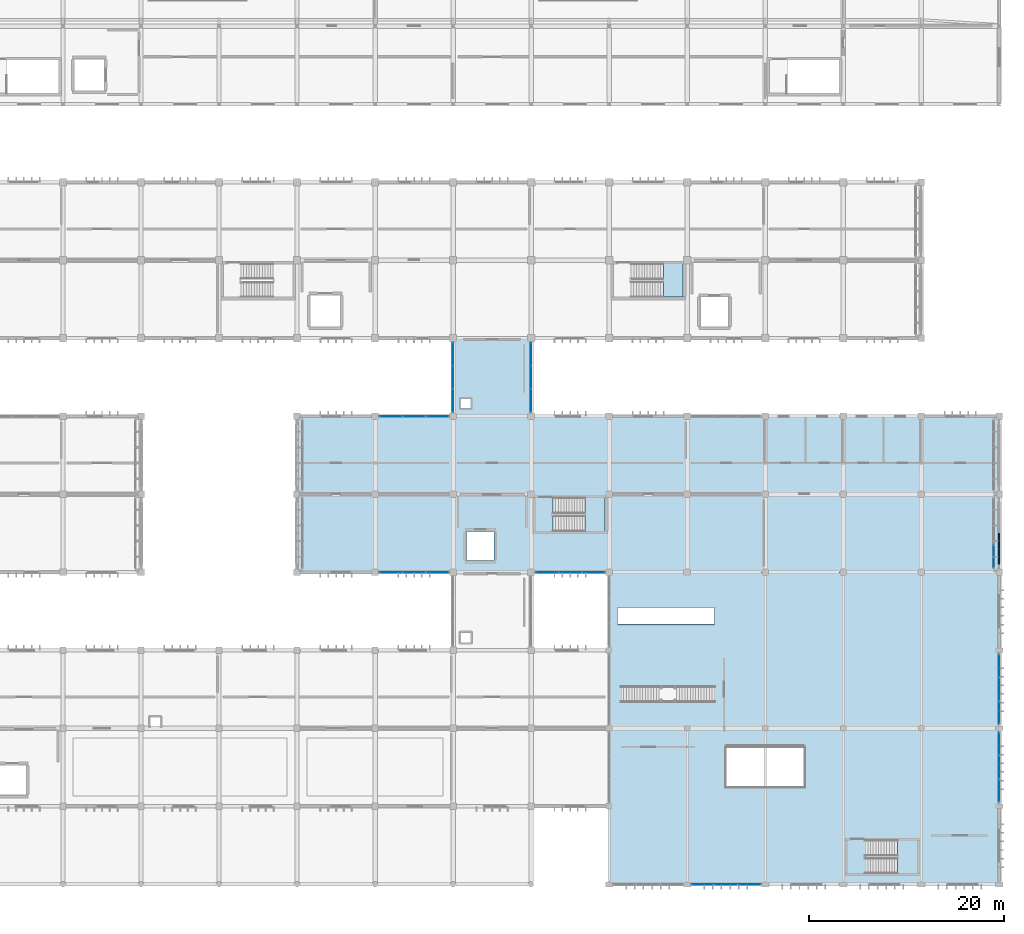
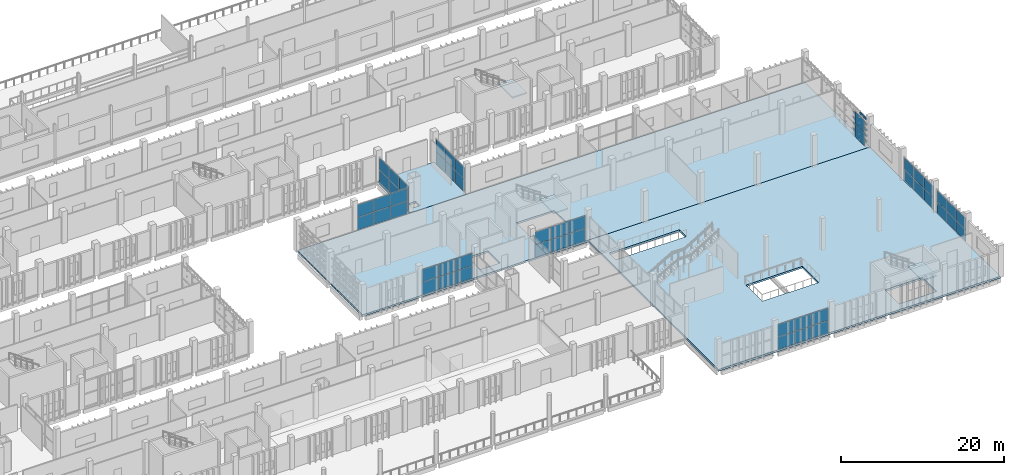
# One storey, part 74 of 106: 59 plates, 6 slabs, 12 elements without a shape of their own.
"""IFC4 building model written with IfcOpenShell, lengths in metres."""

from ifc_helpers import new_model, si_unit, direction, frame, origin, origin_2d, place, context, subcontext, project, spatial, polyline, rectangle, outline, extrude, material, layer, layer_set, type_object, element, aggregate, save


model = new_model("IFC4")

# Units and contexts
model_context = context("Model", 3, precision=1e-05, world=origin(), true_north=direction((0.0, 1.0)))
body_context = subcontext(model_context, "Body", "Model", "MODEL_VIEW")
ifc_project = project(units=[si_unit("LENGTHUNIT", "METRE"), si_unit("AREAUNIT", "SQUARE_METRE"), si_unit("VOLUMEUNIT", "CUBIC_METRE"), si_unit("PLANEANGLEUNIT", "RADIAN"), si_unit("MASSUNIT", "GRAM", prefix="KILO")], contexts=[model_context])

# Site, building, storey
site_placement = place(None, origin())
site = spatial("IfcSite", under=ifc_project, at=site_placement, CompositionType="ELEMENT")
building_placement = place(site_placement, origin())
building = spatial("IfcBuilding", under=site, at=building_placement, Name="Jelvoka-Kovrelna Polytechnic", CompositionType="ELEMENT")
storey_placement = place(building_placement, frame((0.0, 0.0, 4.800048828125)))
storey = spatial("IfcBuildingStorey", under=building, at=storey_placement, Name="L02", CompositionType="ELEMENT", Elevation=4.800048828125)

# Curtain wall, plates
ifc_material_1 = material(Name="Anodised aluminium 6063-T6", Category="aluminium")
ifc_layer_1 = layer(ifc_material_1, 0.159912109375)
ifc_layer_set_1 = layer_set([ifc_layer_1], Name="Anodised aluminium 6063-T6")
curtain_wall_type_1 = type_object("IfcCurtainWallType", Name="CW_Recessed_A", PredefinedType="NOTDEFINED", material=ifc_layer_set_1)
curtain_wall_1_placement = place(storey_placement, origin())
curtain_wall_1 = element("IfcCurtainWall", 1, at=curtain_wall_1_placement, inside=storey, type_object=curtain_wall_type_1, Name="L02 glazed curtain wall 046", PredefinedType="NOTDEFINED")
ifc_material_2 = material(Name="Solar-control double glazing", Category="glass")
ifc_layer_2 = layer(ifc_material_2, 0.028076171875)
ifc_layer_set_2 = layer_set([ifc_layer_2], Name="Solar-control double glazing")
plate_type_1 = type_object("IfcPlateType", Name="Panel_GP-01", PredefinedType="CURTAIN_PANEL", material=ifc_layer_set_2)
plate_1_placement = place(storey_placement, frame((142.385009765625, 32.0, 0.052001953125), z_axis=(0.0, 0.0, 1.0), x_axis=(-1.0, 0.0, 0.0)))
plate_1 = element("IfcPlate", 2, at=plate_1_placement, type_object=plate_type_1, Name="CW-01 panel 1.1", PredefinedType="CURTAIN_PANEL", context=body_context, shape_type="SweptSolid", body=[
    extrude(rectangle(XDim=2.326171875, YDim=0.028076171875, at=origin_2d()), origin(), (0.0, 0.0, 1.0), 1.881103515625),
])
plate_2_placement = place(storey_placement, frame((142.385009765625, 32.0, 1.976806640625), z_axis=(0.0, 0.0, 1.0), x_axis=(-1.0, 0.0, 0.0)))
plate_2 = element("IfcPlate", 3, at=plate_2_placement, type_object=plate_type_1, Name="CW-01 panel 1.2", PredefinedType="CURTAIN_PANEL", context=body_context, shape_type="SweptSolid", body=[
    extrude(rectangle(XDim=2.326171875, YDim=0.028076171875, at=origin_2d()), origin(), (0.0, 0.0, 1.0), 1.881103515625),
])
plate_3_placement = place(storey_placement, frame((140.0, 32.0, 0.052001953125), z_axis=(0.0, 0.0, 1.0), x_axis=(-1.0, 0.0, 0.0)))
plate_3 = element("IfcPlate", 4, at=plate_3_placement, type_object=plate_type_1, Name="CW-01 panel 2.1", PredefinedType="CURTAIN_PANEL", context=body_context, shape_type="SweptSolid", body=[
    extrude(rectangle(XDim=2.356201171875, YDim=0.028076171875, at=origin_2d()), origin(), (0.0, 0.0, 1.0), 1.881103515625),
])
plate_4_placement = place(storey_placement, frame((140.0, 32.0, 1.976806640625), z_axis=(0.0, 0.0, 1.0), x_axis=(-1.0, 0.0, 0.0)))
plate_4 = element("IfcPlate", 5, at=plate_4_placement, type_object=plate_type_1, Name="CW-01 panel 2.2", PredefinedType="CURTAIN_PANEL", context=body_context, shape_type="SweptSolid", body=[
    extrude(rectangle(XDim=2.356201171875, YDim=0.028076171875, at=origin_2d()), origin(), (0.0, 0.0, 1.0), 1.881103515625),
])
plate_5_placement = place(storey_placement, frame((137.614990234375, 32.0, 0.052001953125), z_axis=(0.0, 0.0, 1.0), x_axis=(-1.0, 0.0, 0.0)))
plate_5 = element("IfcPlate", 6, at=plate_5_placement, type_object=plate_type_1, Name="CW-01 panel 3.1", PredefinedType="CURTAIN_PANEL", context=body_context, shape_type="SweptSolid", body=[
    extrude(rectangle(XDim=2.326171875, YDim=0.028076171875, at=origin_2d()), origin(), (0.0, 0.0, 1.0), 1.881103515625),
])
plate_6_placement = place(storey_placement, frame((137.614990234375, 32.0, 1.976806640625), z_axis=(0.0, 0.0, 1.0), x_axis=(-1.0, 0.0, 0.0)))
plate_6 = element("IfcPlate", 7, at=plate_6_placement, type_object=plate_type_1, Name="CW-01 panel 3.2", PredefinedType="CURTAIN_PANEL", context=body_context, shape_type="SweptSolid", body=[
    extrude(rectangle(XDim=2.326171875, YDim=0.028076171875, at=origin_2d()), origin(), (0.0, 0.0, 1.0), 1.881103515625),
])
aggregate(curtain_wall_1, [plate_1, plate_2, plate_3, plate_4, plate_5, plate_6])

curtain_wall_2_placement = place(storey_placement, origin())
curtain_wall_2 = element("IfcCurtainWall", 8, at=curtain_wall_2_placement, inside=storey, type_object=curtain_wall_type_1, Name="L02 glazed curtain wall 047", PredefinedType="NOTDEFINED")
plate_7_placement = place(storey_placement, frame((137.614990234375, 48.0, 0.052001953125), z_axis=(0.0, 0.0, 1.0), x_axis=(1.0, 0.0, 0.0)))
plate_7 = element("IfcPlate", 9, at=plate_7_placement, type_object=plate_type_1, Name="CW-01 panel 1.1", PredefinedType="CURTAIN_PANEL", context=body_context, shape_type="SweptSolid", body=[
    extrude(rectangle(XDim=2.326171875, YDim=0.028076171875, at=origin_2d()), origin(), (0.0, 0.0, 1.0), 1.881103515625),
])
plate_8_placement = place(storey_placement, frame((137.614990234375, 48.0, 1.976806640625), z_axis=(0.0, 0.0, 1.0), x_axis=(1.0, 0.0, 0.0)))
plate_8 = element("IfcPlate", 10, at=plate_8_placement, type_object=plate_type_1, Name="CW-01 panel 1.2", PredefinedType="CURTAIN_PANEL", context=body_context, shape_type="SweptSolid", body=[
    extrude(rectangle(XDim=2.326171875, YDim=0.028076171875, at=origin_2d()), origin(), (0.0, 0.0, 1.0), 1.881103515625),
])
plate_9_placement = place(storey_placement, frame((140.0, 48.0, 0.052001953125), z_axis=(0.0, 0.0, 1.0), x_axis=(1.0, 0.0, 0.0)))
plate_9 = element("IfcPlate", 11, at=plate_9_placement, type_object=plate_type_1, Name="CW-01 panel 2.1", PredefinedType="CURTAIN_PANEL", context=body_context, shape_type="SweptSolid", body=[
    extrude(rectangle(XDim=2.356201171875, YDim=0.028076171875, at=origin_2d()), origin(), (0.0, 0.0, 1.0), 1.881103515625),
])
plate_10_placement = place(storey_placement, frame((140.0, 48.0, 1.976806640625), z_axis=(0.0, 0.0, 1.0), x_axis=(1.0, 0.0, 0.0)))
plate_10 = element("IfcPlate", 12, at=plate_10_placement, type_object=plate_type_1, Name="CW-01 panel 2.2", PredefinedType="CURTAIN_PANEL", context=body_context, shape_type="SweptSolid", body=[
    extrude(rectangle(XDim=2.356201171875, YDim=0.028076171875, at=origin_2d()), origin(), (0.0, 0.0, 1.0), 1.881103515625),
])
plate_11_placement = place(storey_placement, frame((142.385009765625, 48.0, 0.052001953125), z_axis=(0.0, 0.0, 1.0), x_axis=(1.0, 0.0, 0.0)))
plate_11 = element("IfcPlate", 13, at=plate_11_placement, type_object=plate_type_1, Name="CW-01 panel 3.1", PredefinedType="CURTAIN_PANEL", context=body_context, shape_type="SweptSolid", body=[
    extrude(rectangle(XDim=2.326171875, YDim=0.028076171875, at=origin_2d()), origin(), (0.0, 0.0, 1.0), 1.881103515625),
])
plate_12_placement = place(storey_placement, frame((142.385009765625, 48.0, 1.976806640625), z_axis=(0.0, 0.0, 1.0), x_axis=(1.0, 0.0, 0.0)))
plate_12 = element("IfcPlate", 14, at=plate_12_placement, type_object=plate_type_1, Name="CW-01 panel 3.2", PredefinedType="CURTAIN_PANEL", context=body_context, shape_type="SweptSolid", body=[
    extrude(rectangle(XDim=2.326171875, YDim=0.028076171875, at=origin_2d()), origin(), (0.0, 0.0, 1.0), 1.881103515625),
])
aggregate(curtain_wall_2, [plate_7, plate_8, plate_9, plate_10, plate_11, plate_12])

curtain_wall_3_placement = place(storey_placement, origin())
curtain_wall_3 = element("IfcCurtainWall", 15, at=curtain_wall_3_placement, inside=storey, type_object=curtain_wall_type_1, Name="L02 glazed curtain wall 048", PredefinedType="NOTDEFINED")
plate_13_placement = place(storey_placement, frame((158.385009765625, 32.0, 0.052001953125), z_axis=(0.0, 0.0, 1.0), x_axis=(-1.0, 0.0, 0.0)))
plate_13 = element("IfcPlate", 16, at=plate_13_placement, type_object=plate_type_1, Name="CW-01 panel 1.1", PredefinedType="CURTAIN_PANEL", context=body_context, shape_type="SweptSolid", body=[
    extrude(rectangle(XDim=2.326171875, YDim=0.028076171875, at=origin_2d()), origin(), (0.0, 0.0, 1.0), 1.881103515625),
])
plate_14_placement = place(storey_placement, frame((158.385009765625, 32.0, 1.976806640625), z_axis=(0.0, 0.0, 1.0), x_axis=(-1.0, 0.0, 0.0)))
plate_14 = element("IfcPlate", 17, at=plate_14_placement, type_object=plate_type_1, Name="CW-01 panel 1.2", PredefinedType="CURTAIN_PANEL", context=body_context, shape_type="SweptSolid", body=[
    extrude(rectangle(XDim=2.326171875, YDim=0.028076171875, at=origin_2d()), origin(), (0.0, 0.0, 1.0), 1.881103515625),
])
plate_15_placement = place(storey_placement, frame((156.0, 32.0, 0.052001953125), z_axis=(0.0, 0.0, 1.0), x_axis=(-1.0, 0.0, 0.0)))
plate_15 = element("IfcPlate", 18, at=plate_15_placement, type_object=plate_type_1, Name="CW-01 panel 2.1", PredefinedType="CURTAIN_PANEL", context=body_context, shape_type="SweptSolid", body=[
    extrude(rectangle(XDim=2.356201171875, YDim=0.028076171875, at=origin_2d()), origin(), (0.0, 0.0, 1.0), 1.881103515625),
])
plate_16_placement = place(storey_placement, frame((156.0, 32.0, 1.976806640625), z_axis=(0.0, 0.0, 1.0), x_axis=(-1.0, 0.0, 0.0)))
plate_16 = element("IfcPlate", 19, at=plate_16_placement, type_object=plate_type_1, Name="CW-01 panel 2.2", PredefinedType="CURTAIN_PANEL", context=body_context, shape_type="SweptSolid", body=[
    extrude(rectangle(XDim=2.356201171875, YDim=0.028076171875, at=origin_2d()), origin(), (0.0, 0.0, 1.0), 1.881103515625),
])
plate_17_placement = place(storey_placement, frame((153.614990234375, 32.0, 0.052001953125), z_axis=(0.0, 0.0, 1.0), x_axis=(-1.0, 0.0, 0.0)))
plate_17 = element("IfcPlate", 20, at=plate_17_placement, type_object=plate_type_1, Name="CW-01 panel 3.1", PredefinedType="CURTAIN_PANEL", context=body_context, shape_type="SweptSolid", body=[
    extrude(rectangle(XDim=2.326171875, YDim=0.028076171875, at=origin_2d()), origin(), (0.0, 0.0, 1.0), 1.881103515625),
])
plate_18_placement = place(storey_placement, frame((153.614990234375, 32.0, 1.976806640625), z_axis=(0.0, 0.0, 1.0), x_axis=(-1.0, 0.0, 0.0)))
plate_18 = element("IfcPlate", 21, at=plate_18_placement, type_object=plate_type_1, Name="CW-01 panel 3.2", PredefinedType="CURTAIN_PANEL", context=body_context, shape_type="SweptSolid", body=[
    extrude(rectangle(XDim=2.326171875, YDim=0.028076171875, at=origin_2d()), origin(), (0.0, 0.0, 1.0), 1.881103515625),
])
aggregate(curtain_wall_3, [plate_13, plate_14, plate_15, plate_16, plate_17, plate_18])

curtain_wall_4_placement = place(storey_placement, origin())
curtain_wall_4 = element("IfcCurtainWall", 22, at=curtain_wall_4_placement, inside=storey, type_object=curtain_wall_type_1, Name="L02 glazed curtain wall 052", PredefinedType="NOTDEFINED")
plate_19_placement = place(storey_placement, frame((199.43994140625, 33.614990234375, 0.052001953125), z_axis=(0.0, 0.0, 1.0), x_axis=(0.0, -1.0, 0.0)))
plate_19 = element("IfcPlate", 23, at=plate_19_placement, type_object=plate_type_1, Name="CW-01 panel 3.1", PredefinedType="CURTAIN_PANEL", context=body_context, shape_type="SweptSolid", body=[
    extrude(rectangle(XDim=2.326171875, YDim=0.028076171875, at=origin_2d()), origin(), (0.0, 0.0, 1.0), 1.901123046875),
])
plate_20_placement = place(storey_placement, frame((199.43994140625, 33.614990234375, 1.996826171875), z_axis=(0.0, 0.0, 1.0), x_axis=(0.0, -1.0, 0.0)))
plate_20 = element("IfcPlate", 24, at=plate_20_placement, type_object=plate_type_1, Name="CW-01 panel 3.2", PredefinedType="CURTAIN_PANEL", context=body_context, shape_type="SweptSolid", body=[
    extrude(rectangle(XDim=2.326171875, YDim=0.028076171875, at=origin_2d()), origin(), (0.0, 0.0, 1.0), 1.901123046875),
])
aggregate(curtain_wall_4, [plate_19, plate_20])

ifc_material_3 = material(Name="Anodised aluminium 6063-T6", Category="aluminium")
ifc_layer_3 = layer(ifc_material_3, 0.159912109375)
ifc_layer_set_3 = layer_set([ifc_layer_3], Name="Anodised aluminium 6063-T6")
curtain_wall_type_2 = type_object("IfcCurtainWallType", Name="CW_LinkBridge", PredefinedType="NOTDEFINED", material=ifc_layer_set_3)
curtain_wall_5_placement = place(storey_placement, origin())
curtain_wall_5 = element("IfcCurtainWall", 25, at=curtain_wall_5_placement, inside=storey, type_object=curtain_wall_type_2, Name="L02 glazed curtain wall 110", PredefinedType="NOTDEFINED")
ifc_material_4 = material(Name="Solar-control double glazing", Category="glass")
ifc_layer_4 = layer(ifc_material_4, 0.02392578125)
ifc_layer_set_4 = layer_set([ifc_layer_4], Name="Solar-control double glazing")
plate_type_2 = type_object("IfcPlateType", Name="Panel_GP-04", PredefinedType="CURTAIN_PANEL", material=ifc_layer_set_4)
plate_21_placement = place(storey_placement, frame((144.0, 49.614990234375, 0.0517578125), z_axis=(0.0, 0.0, 1.0), x_axis=(0.0, 1.0, 0.0)))
plate_21 = element("IfcPlate", 26, at=plate_21_placement, type_object=plate_type_2, Name="CW-04 panel 1.1", PredefinedType="CURTAIN_PANEL", context=body_context, shape_type="SweptSolid", body=[
    extrude(rectangle(XDim=2.326171875, YDim=0.02392578125, at=origin_2d()), origin(), (0.0, 0.0, 1.0), 1.80615234375),
])
plate_22_placement = place(storey_placement, frame((144.0, 49.614990234375, 1.90185546875), z_axis=(0.0, 0.0, 1.0), x_axis=(0.0, 1.0, 0.0)))
plate_22 = element("IfcPlate", 27, at=plate_22_placement, type_object=plate_type_2, Name="CW-04 panel 1.2", PredefinedType="CURTAIN_PANEL", context=body_context, shape_type="SweptSolid", body=[
    extrude(rectangle(XDim=2.326171875, YDim=0.02392578125, at=origin_2d()), origin(), (0.0, 0.0, 1.0), 1.80615234375),
])
plate_23_placement = place(storey_placement, frame((144.0, 52.0, 0.0517578125), z_axis=(0.0, 0.0, 1.0), x_axis=(0.0, 1.0, 0.0)))
plate_23 = element("IfcPlate", 28, at=plate_23_placement, type_object=plate_type_2, Name="CW-04 panel 2.1", PredefinedType="CURTAIN_PANEL", context=body_context, shape_type="SweptSolid", body=[
    extrude(rectangle(XDim=2.356201171875, YDim=0.02392578125, at=origin_2d()), origin(), (0.0, 0.0, 1.0), 1.80615234375),
])
plate_24_placement = place(storey_placement, frame((144.0, 52.0, 1.90185546875), z_axis=(0.0, 0.0, 1.0), x_axis=(0.0, 1.0, 0.0)))
plate_24 = element("IfcPlate", 29, at=plate_24_placement, type_object=plate_type_2, Name="CW-04 panel 2.2", PredefinedType="CURTAIN_PANEL", context=body_context, shape_type="SweptSolid", body=[
    extrude(rectangle(XDim=2.356201171875, YDim=0.02392578125, at=origin_2d()), origin(), (0.0, 0.0, 1.0), 1.80615234375),
])
plate_25_placement = place(storey_placement, frame((144.0, 54.385009765625, 0.0517578125), z_axis=(0.0, 0.0, 1.0), x_axis=(0.0, 1.0, 0.0)))
plate_25 = element("IfcPlate", 30, at=plate_25_placement, type_object=plate_type_2, Name="CW-04 panel 3.1", PredefinedType="CURTAIN_PANEL", context=body_context, shape_type="SweptSolid", body=[
    extrude(rectangle(XDim=2.326171875, YDim=0.02392578125, at=origin_2d()), origin(), (0.0, 0.0, 1.0), 1.80615234375),
])
plate_26_placement = place(storey_placement, frame((144.0, 54.385009765625, 1.90185546875), z_axis=(0.0, 0.0, 1.0), x_axis=(0.0, 1.0, 0.0)))
plate_26 = element("IfcPlate", 31, at=plate_26_placement, type_object=plate_type_2, Name="CW-04 panel 3.2", PredefinedType="CURTAIN_PANEL", context=body_context, shape_type="SweptSolid", body=[
    extrude(rectangle(XDim=2.326171875, YDim=0.02392578125, at=origin_2d()), origin(), (0.0, 0.0, 1.0), 1.80615234375),
])
aggregate(curtain_wall_5, [plate_21, plate_22, plate_23, plate_24, plate_25, plate_26])

curtain_wall_6_placement = place(storey_placement, origin())
curtain_wall_6 = element("IfcCurtainWall", 32, at=curtain_wall_6_placement, inside=storey, type_object=curtain_wall_type_2, Name="L02 glazed curtain wall 111", PredefinedType="NOTDEFINED")
plate_27_placement = place(storey_placement, frame((152.0, 54.385009765625, 0.0517578125), z_axis=(0.0, 0.0, 1.0), x_axis=(0.0, -1.0, 0.0)))
plate_27 = element("IfcPlate", 33, at=plate_27_placement, type_object=plate_type_2, Name="CW-04 panel 1.1", PredefinedType="CURTAIN_PANEL", context=body_context, shape_type="SweptSolid", body=[
    extrude(rectangle(XDim=2.326171875, YDim=0.02392578125, at=origin_2d()), origin(), (0.0, 0.0, 1.0), 1.80615234375),
])
plate_28_placement = place(storey_placement, frame((152.0, 54.385009765625, 1.90185546875), z_axis=(0.0, 0.0, 1.0), x_axis=(0.0, -1.0, 0.0)))
plate_28 = element("IfcPlate", 34, at=plate_28_placement, type_object=plate_type_2, Name="CW-04 panel 1.2", PredefinedType="CURTAIN_PANEL", context=body_context, shape_type="SweptSolid", body=[
    extrude(rectangle(XDim=2.326171875, YDim=0.02392578125, at=origin_2d()), origin(), (0.0, 0.0, 1.0), 1.80615234375),
])
plate_29_placement = place(storey_placement, frame((152.0, 52.0, 0.0517578125), z_axis=(0.0, 0.0, 1.0), x_axis=(0.0, -1.0, 0.0)))
plate_29 = element("IfcPlate", 35, at=plate_29_placement, type_object=plate_type_2, Name="CW-04 panel 2.1", PredefinedType="CURTAIN_PANEL", context=body_context, shape_type="SweptSolid", body=[
    extrude(rectangle(XDim=2.356201171875, YDim=0.02392578125, at=origin_2d()), origin(), (0.0, 0.0, 1.0), 1.80615234375),
])
plate_30_placement = place(storey_placement, frame((152.0, 52.0, 1.90185546875), z_axis=(0.0, 0.0, 1.0), x_axis=(0.0, -1.0, 0.0)))
plate_30 = element("IfcPlate", 36, at=plate_30_placement, type_object=plate_type_2, Name="CW-04 panel 2.2", PredefinedType="CURTAIN_PANEL", context=body_context, shape_type="SweptSolid", body=[
    extrude(rectangle(XDim=2.356201171875, YDim=0.02392578125, at=origin_2d()), origin(), (0.0, 0.0, 1.0), 1.80615234375),
])
plate_31_placement = place(storey_placement, frame((152.0, 49.614990234375, 0.0517578125), z_axis=(0.0, 0.0, 1.0), x_axis=(0.0, -1.0, 0.0)))
plate_31 = element("IfcPlate", 37, at=plate_31_placement, type_object=plate_type_2, Name="CW-04 panel 3.1", PredefinedType="CURTAIN_PANEL", context=body_context, shape_type="SweptSolid", body=[
    extrude(rectangle(XDim=2.326171875, YDim=0.02392578125, at=origin_2d()), origin(), (0.0, 0.0, 1.0), 1.80615234375),
])
plate_32_placement = place(storey_placement, frame((152.0, 49.614990234375, 1.90185546875), z_axis=(0.0, 0.0, 1.0), x_axis=(0.0, -1.0, 0.0)))
plate_32 = element("IfcPlate", 38, at=plate_32_placement, type_object=plate_type_2, Name="CW-04 panel 3.2", PredefinedType="CURTAIN_PANEL", context=body_context, shape_type="SweptSolid", body=[
    extrude(rectangle(XDim=2.326171875, YDim=0.02392578125, at=origin_2d()), origin(), (0.0, 0.0, 1.0), 1.80615234375),
])
aggregate(curtain_wall_6, [plate_27, plate_28, plate_29, plate_30, plate_31, plate_32])

ifc_material_5 = material(Name="Anodised aluminium 6063-T6", Category="aluminium")
ifc_layer_5 = layer(ifc_material_5, 0.179931640625)
ifc_layer_set_5 = layer_set([ifc_layer_5], Name="Anodised aluminium 6063-T6")
curtain_wall_type_3 = type_object("IfcCurtainWallType", Name="CW_Pavilion", PredefinedType="NOTDEFINED", material=ifc_layer_set_5)
curtain_wall_7_placement = place(storey_placement, origin())
curtain_wall_7 = element("IfcCurtainWall", 39, at=curtain_wall_7_placement, inside=storey, type_object=curtain_wall_type_3, Name="L02 glazed curtain wall 280", PredefinedType="NOTDEFINED")
ifc_material_6 = material(Name="Solar-control double glazing", Category="glass")
ifc_layer_6 = layer(ifc_material_6, 0.030029296875)
ifc_layer_set_6 = layer_set([ifc_layer_6], Name="Solar-control double glazing")
plate_type_3 = type_object("IfcPlateType", Name="Panel_GP-05", PredefinedType="CURTAIN_PANEL", material=ifc_layer_set_6)
plate_33_placement = place(storey_placement, frame((174.3837890625, 0.0, 0.056884765625), z_axis=(0.0, 0.0, 1.0), x_axis=(-1.0, 0.0, 0.0)))
plate_33 = element("IfcPlate", 40, at=plate_33_placement, type_object=plate_type_3, Name="CW-05 panel 1.1", PredefinedType="CURTAIN_PANEL", context=body_context, shape_type="SweptSolid", body=[
    extrude(rectangle(XDim=2.318603515625, YDim=0.030029296875, at=origin_2d()), origin(), (0.0, 0.0, 1.0), 1.863525390625),
])
plate_34_placement = place(storey_placement, frame((174.3837890625, 0.0, 1.969482421875), z_axis=(0.0, 0.0, 1.0), x_axis=(-1.0, 0.0, 0.0)))
plate_34 = element("IfcPlate", 41, at=plate_34_placement, type_object=plate_type_3, Name="CW-05 panel 1.2", PredefinedType="CURTAIN_PANEL", context=body_context, shape_type="SweptSolid", body=[
    extrude(rectangle(XDim=2.318603515625, YDim=0.030029296875, at=origin_2d()), origin(), (0.0, 0.0, 1.0), 1.863525390625),
])
plate_35_placement = place(storey_placement, frame((172.0, 0.0, 0.056884765625), z_axis=(0.0, 0.0, 1.0), x_axis=(-1.0, 0.0, 0.0)))
plate_35 = element("IfcPlate", 42, at=plate_35_placement, type_object=plate_type_3, Name="CW-05 panel 2.1", PredefinedType="CURTAIN_PANEL", context=body_context, shape_type="SweptSolid", body=[
    extrude(rectangle(XDim=2.35107421875, YDim=0.030029296875, at=origin_2d()), origin(), (0.0, 0.0, 1.0), 1.863525390625),
])
plate_36_placement = place(storey_placement, frame((172.0, 0.0, 1.969482421875), z_axis=(0.0, 0.0, 1.0), x_axis=(-1.0, 0.0, 0.0)))
plate_36 = element("IfcPlate", 43, at=plate_36_placement, type_object=plate_type_3, Name="CW-05 panel 2.2", PredefinedType="CURTAIN_PANEL", context=body_context, shape_type="SweptSolid", body=[
    extrude(rectangle(XDim=2.35107421875, YDim=0.030029296875, at=origin_2d()), origin(), (0.0, 0.0, 1.0), 1.863525390625),
])
plate_37_placement = place(storey_placement, frame((169.6162109375, 0.0, 0.056884765625), z_axis=(0.0, 0.0, 1.0), x_axis=(-1.0, 0.0, 0.0)))
plate_37 = element("IfcPlate", 44, at=plate_37_placement, type_object=plate_type_3, Name="CW-05 panel 3.1", PredefinedType="CURTAIN_PANEL", context=body_context, shape_type="SweptSolid", body=[
    extrude(rectangle(XDim=2.318603515625, YDim=0.030029296875, at=origin_2d()), origin(), (0.0, 0.0, 1.0), 1.863525390625),
])
plate_38_placement = place(storey_placement, frame((169.6162109375, 0.0, 1.969482421875), z_axis=(0.0, 0.0, 1.0), x_axis=(-1.0, 0.0, 0.0)))
plate_38 = element("IfcPlate", 45, at=plate_38_placement, type_object=plate_type_3, Name="CW-05 panel 3.2", PredefinedType="CURTAIN_PANEL", context=body_context, shape_type="SweptSolid", body=[
    extrude(rectangle(XDim=2.318603515625, YDim=0.030029296875, at=origin_2d()), origin(), (0.0, 0.0, 1.0), 1.863525390625),
])
aggregate(curtain_wall_7, [plate_33, plate_34, plate_35, plate_36, plate_37, plate_38])

curtain_wall_8_placement = place(storey_placement, origin())
curtain_wall_8 = element("IfcCurtainWall", 46, at=curtain_wall_8_placement, inside=storey, type_object=curtain_wall_type_3, Name="L02 glazed curtain wall 281", PredefinedType="NOTDEFINED")
plate_39_placement = place(storey_placement, frame((200.0, 14.3837890625, 0.056884765625), z_axis=(0.0, 0.0, 1.0), x_axis=(0.0, -1.0, 0.0)))
plate_39 = element("IfcPlate", 47, at=plate_39_placement, type_object=plate_type_3, Name="CW-05 panel 1.1", PredefinedType="CURTAIN_PANEL", context=body_context, shape_type="SweptSolid", body=[
    extrude(rectangle(XDim=2.318603515625, YDim=0.030029296875, at=origin_2d()), origin(), (0.0, 0.0, 1.0), 1.713623046875),
])
plate_40_placement = place(storey_placement, frame((200.0, 14.3837890625, 1.819580078125), z_axis=(0.0, 0.0, 1.0), x_axis=(0.0, -1.0, 0.0)))
plate_40 = element("IfcPlate", 48, at=plate_40_placement, type_object=plate_type_3, Name="CW-05 panel 1.2", PredefinedType="CURTAIN_PANEL", context=body_context, shape_type="SweptSolid", body=[
    extrude(rectangle(XDim=2.318603515625, YDim=0.030029296875, at=origin_2d()), origin(), (0.0, 0.0, 1.0), 1.713623046875),
])
plate_41_placement = place(storey_placement, frame((200.0, 12.0, 0.056884765625), z_axis=(0.0, 0.0, 1.0), x_axis=(0.0, -1.0, 0.0)))
plate_41 = element("IfcPlate", 49, at=plate_41_placement, type_object=plate_type_3, Name="CW-05 panel 2.1", PredefinedType="CURTAIN_PANEL", context=body_context, shape_type="SweptSolid", body=[
    extrude(rectangle(XDim=2.35107421875, YDim=0.030029296875, at=origin_2d()), origin(), (0.0, 0.0, 1.0), 1.713623046875),
])
plate_42_placement = place(storey_placement, frame((200.0, 12.0, 1.819580078125), z_axis=(0.0, 0.0, 1.0), x_axis=(0.0, -1.0, 0.0)))
plate_42 = element("IfcPlate", 50, at=plate_42_placement, type_object=plate_type_3, Name="CW-05 panel 2.2", PredefinedType="CURTAIN_PANEL", context=body_context, shape_type="SweptSolid", body=[
    extrude(rectangle(XDim=2.35107421875, YDim=0.030029296875, at=origin_2d()), origin(), (0.0, 0.0, 1.0), 1.713623046875),
])
plate_43_placement = place(storey_placement, frame((200.0, 9.6162109375, 0.056884765625), z_axis=(0.0, 0.0, 1.0), x_axis=(0.0, -1.0, 0.0)))
plate_43 = element("IfcPlate", 51, at=plate_43_placement, type_object=plate_type_3, Name="CW-05 panel 3.1", PredefinedType="CURTAIN_PANEL", context=body_context, shape_type="SweptSolid", body=[
    extrude(rectangle(XDim=2.318603515625, YDim=0.030029296875, at=origin_2d()), origin(), (0.0, 0.0, 1.0), 1.713623046875),
])
plate_44_placement = place(storey_placement, frame((200.0, 9.6162109375, 1.819580078125), z_axis=(0.0, 0.0, 1.0), x_axis=(0.0, -1.0, 0.0)))
plate_44 = element("IfcPlate", 52, at=plate_44_placement, type_object=plate_type_3, Name="CW-05 panel 3.2", PredefinedType="CURTAIN_PANEL", context=body_context, shape_type="SweptSolid", body=[
    extrude(rectangle(XDim=2.318603515625, YDim=0.030029296875, at=origin_2d()), origin(), (0.0, 0.0, 1.0), 1.713623046875),
])
aggregate(curtain_wall_8, [plate_39, plate_40, plate_41, plate_42, plate_43, plate_44])

curtain_wall_9_placement = place(storey_placement, origin())
curtain_wall_9 = element("IfcCurtainWall", 53, at=curtain_wall_9_placement, inside=storey, type_object=curtain_wall_type_3, Name="L02 glazed curtain wall 282", PredefinedType="NOTDEFINED")
plate_45_placement = place(storey_placement, frame((200.0, 22.3837890625, 0.056884765625), z_axis=(0.0, 0.0, 1.0), x_axis=(0.0, -1.0, 0.0)))
plate_45 = element("IfcPlate", 54, at=plate_45_placement, type_object=plate_type_3, Name="CW-05 panel 1.1", PredefinedType="CURTAIN_PANEL", context=body_context, shape_type="SweptSolid", body=[
    extrude(rectangle(XDim=2.318603515625, YDim=0.030029296875, at=origin_2d()), origin(), (0.0, 0.0, 1.0), 1.713623046875),
])
plate_46_placement = place(storey_placement, frame((200.0, 22.3837890625, 1.819580078125), z_axis=(0.0, 0.0, 1.0), x_axis=(0.0, -1.0, 0.0)))
plate_46 = element("IfcPlate", 55, at=plate_46_placement, type_object=plate_type_3, Name="CW-05 panel 1.2", PredefinedType="CURTAIN_PANEL", context=body_context, shape_type="SweptSolid", body=[
    extrude(rectangle(XDim=2.318603515625, YDim=0.030029296875, at=origin_2d()), origin(), (0.0, 0.0, 1.0), 1.713623046875),
])
plate_47_placement = place(storey_placement, frame((200.0, 20.0, 0.056884765625), z_axis=(0.0, 0.0, 1.0), x_axis=(0.0, -1.0, 0.0)))
plate_47 = element("IfcPlate", 56, at=plate_47_placement, type_object=plate_type_3, Name="CW-05 panel 2.1", PredefinedType="CURTAIN_PANEL", context=body_context, shape_type="SweptSolid", body=[
    extrude(rectangle(XDim=2.35107421875, YDim=0.030029296875, at=origin_2d()), origin(), (0.0, 0.0, 1.0), 1.713623046875),
])
plate_48_placement = place(storey_placement, frame((200.0, 20.0, 1.819580078125), z_axis=(0.0, 0.0, 1.0), x_axis=(0.0, -1.0, 0.0)))
plate_48 = element("IfcPlate", 57, at=plate_48_placement, type_object=plate_type_3, Name="CW-05 panel 2.2", PredefinedType="CURTAIN_PANEL", context=body_context, shape_type="SweptSolid", body=[
    extrude(rectangle(XDim=2.35107421875, YDim=0.030029296875, at=origin_2d()), origin(), (0.0, 0.0, 1.0), 1.713623046875),
])
plate_49_placement = place(storey_placement, frame((200.0, 17.6162109375, 0.056884765625), z_axis=(0.0, 0.0, 1.0), x_axis=(0.0, -1.0, 0.0)))
plate_49 = element("IfcPlate", 58, at=plate_49_placement, type_object=plate_type_3, Name="CW-05 panel 3.1", PredefinedType="CURTAIN_PANEL", context=body_context, shape_type="SweptSolid", body=[
    extrude(rectangle(XDim=2.318603515625, YDim=0.030029296875, at=origin_2d()), origin(), (0.0, 0.0, 1.0), 1.713623046875),
])
plate_50_placement = place(storey_placement, frame((200.0, 17.6162109375, 1.819580078125), z_axis=(0.0, 0.0, 1.0), x_axis=(0.0, -1.0, 0.0)))
plate_50 = element("IfcPlate", 59, at=plate_50_placement, type_object=plate_type_3, Name="CW-05 panel 3.2", PredefinedType="CURTAIN_PANEL", context=body_context, shape_type="SweptSolid", body=[
    extrude(rectangle(XDim=2.318603515625, YDim=0.030029296875, at=origin_2d()), origin(), (0.0, 0.0, 1.0), 1.713623046875),
])
aggregate(curtain_wall_9, [plate_45, plate_46, plate_47, plate_48, plate_49, plate_50])

# Plates
ifc_material_7 = material(Name="Perforated fired terracotta block", Category="masonry")
ifc_layer_7 = layer(ifc_material_7, 0.179931640625)
ifc_layer_set_7 = layer_set([ifc_layer_7], Name="Perforated fired terracotta block")
plate_type_4 = type_object("IfcPlateType", Name="Screen_Terracotta_TP02", PredefinedType="USERDEFINED", material=ifc_layer_set_7)
for number, where, z_axis, x_axis, name in (
    (60, (199.97998046875, 33.60009765625, 0.2001953125), (0.0, 0.0, 1.0), (0.0, 1.0, 0.0), "L02 perforated terracotta lattice band 0541"),
    (61, (199.97998046875, 33.60009765625, 1.04248046875), (0.0, 0.0, 1.0), (0.0, 1.0, 0.0), "L02 perforated terracotta lattice band 0542"),
    (62, (199.97998046875, 33.60009765625, 1.884765625), (0.0, 0.0, 1.0), (0.0, 1.0, 0.0), "L02 perforated terracotta lattice band 0543"),
    (63, (199.97998046875, 33.60009765625, 2.7275390625), (0.0, 0.0, 1.0), (0.0, 1.0, 0.0), "L02 perforated terracotta lattice band 0544"),
    (64, (199.97998046875, 33.60009765625, 3.56982421875), (0.0, 0.0, 1.0), (0.0, 1.0, 0.0), "L02 perforated terracotta lattice band 0545"),
    (65, (199.97998046875, 35.199951171875, 0.2001953125), (0.0, 0.0, 1.0), (0.0, 1.0, 0.0), "L02 perforated terracotta lattice band 0546"),
    (66, (199.97998046875, 35.199951171875, 1.04248046875), (0.0, 0.0, 1.0), (0.0, 1.0, 0.0), "L02 perforated terracotta lattice band 0547"),
    (67, (199.97998046875, 35.199951171875, 1.884765625), (0.0, 0.0, 1.0), (0.0, 1.0, 0.0), "L02 perforated terracotta lattice band 0548"),
    (68, (199.97998046875, 35.199951171875, 2.7275390625), (0.0, 0.0, 1.0), (0.0, 1.0, 0.0), "L02 perforated terracotta lattice band 0549"),
):
    element("IfcPlate", number, at=place(storey_placement, frame(where, z_axis=z_axis, x_axis=x_axis)), inside=storey, type_object=plate_type_4, Name=name, ObjectType="SCREEN PANEL", PredefinedType="USERDEFINED", context=body_context, shape_type="SweptSolid", body=[
        extrude(rectangle(XDim=1.60009765625, YDim=0.179931640625, at=origin_2d()), origin(), (0.0, 0.0, 1.0), 0.239990234375),
    ])

# Slabs
ifc_material_8 = material(Name="Concrete C35/45", Category="concrete")
ifc_layer_8 = layer(ifc_material_8, 0.264892578125)
ifc_layer_set_8 = layer_set([ifc_layer_8], Name="Concrete C35/45")
slab_type_1 = type_object("IfcSlabType", Name="Slab_Floor_265", PredefinedType="FLOOR", material=ifc_layer_set_8)
slab_1_placement = place(storey_placement, frame((0.0, 0.0, -0.26513671875)))
element("IfcSlab", 69, at=slab_1_placement, inside=storey, type_object=slab_type_1, Name="L02 B2E structural slab", PredefinedType="FLOOR", context=body_context, shape_type="SweptSolid", body=[
    extrude(outline(polyline([(128.0, 32.0), (200.0, 32.0), (200.0, 48.0), (128.0, 48.0), (128.0, 32.0)]), holes=[polyline([(145.39990234375, 33.199951171875), (148.199951171875, 33.199951171875), (148.199951171875, 36.199951171875), (145.39990234375, 36.199951171875), (145.39990234375, 33.199951171875)]), polyline([(154.264892578125, 36.199951171875), (159.60009765625, 36.199951171875), (159.60009765625, 39.639892578125), (154.264892578125, 39.639892578125), (154.264892578125, 36.199951171875)])]), origin(), (0.0, 0.0, 1.0), 0.26513671875),
])
slab_2_placement = place(storey_placement, frame((0.0, 0.0, -0.26513671875)))
element("IfcSlab", 70, at=slab_2_placement, inside=storey, type_object=slab_type_1, Name="L02 LNKNE structural slab", PredefinedType="FLOOR", context=body_context, shape_type="SweptSolid", body=[
    extrude(outline(polyline([(144.0, 48.0), (152.0, 48.0), (152.0, 56.0), (144.0, 56.0), (144.0, 48.0)]), holes=[polyline([(144.800048828125, 48.800048828125), (145.800048828125, 48.800048828125), (145.800048828125, 49.800048828125), (144.800048828125, 49.800048828125), (144.800048828125, 48.800048828125)])]), origin(), (0.0, 0.0, 1.0), 0.26513671875),
])
ifc_material_9 = material(Name="Concrete C35/45", Category="concrete")
ifc_layer_9 = layer(ifc_material_9, 0.280029296875)
ifc_layer_set_9 = layer_set([ifc_layer_9], Name="Concrete C35/45")
slab_type_2 = type_object("IfcSlabType", Name="Slab_Floor_280", PredefinedType="FLOOR", material=ifc_layer_set_9)
slab_3_placement = place(storey_placement, frame((0.0, 0.0, -0.280029296875)))
element("IfcSlab", 71, at=slab_3_placement, inside=storey, type_object=slab_type_2, Name="L02 V5 structural slab", PredefinedType="FLOOR", context=body_context, shape_type="SweptSolid", body=[
    extrude(outline(polyline([(160.0, 0.0), (200.0, 0.0), (200.0, 32.0), (160.0, 32.0), (160.0, 0.0)]), holes=[polyline([(172.0, 10.0), (180.0, 10.0), (180.0, 14.0), (172.0, 14.0), (172.0, 10.0)]), polyline([(186.264892578125, 1.10009765625), (191.60009765625, 1.10009765625), (191.60009765625, 4.5400390625), (186.264892578125, 4.5400390625), (186.264892578125, 1.10009765625)]), polyline([(160.89990234375, 26.675048828125), (170.824951171875, 26.675048828125), (170.824951171875, 28.324951171875), (160.89990234375, 28.324951171875), (160.89990234375, 26.675048828125)])]), origin(), (0.0, 0.0, 1.0), 0.280029296875),
])

# Stair, slab
ifc_material_10 = material(Name="Concrete C35/45", Category="concrete")
stair_type = type_object("IfcStairType", Name="Stair_Dogleg_1620", PredefinedType="TWO_STRAIGHT_RUN_STAIR", material=ifc_material_10)
stair_1_placement = place(storey_placement, origin())
stair_1 = element("IfcStair", 72, at=stair_1_placement, inside=storey, type_object=stair_type, Name="L02 ST05", PredefinedType="TWO_STRAIGHT_RUN_STAIR")
ifc_material_11 = material(Name="Concrete C35/45", Category="concrete")
ifc_layer_10 = layer(ifc_material_11, 0.199951171875)
ifc_layer_set_10 = layer_set([ifc_layer_10], Name="Concrete C35/45")
slab_type_3 = type_object("IfcSlabType", Name="Slab_Stair_Landing_200", PredefinedType="LANDING", material=ifc_layer_set_10)
slab_4_placement = place(storey_placement, frame((0.0, 0.0, 2.199951171875)))
slab_4 = element("IfcSlab", 73, at=slab_4_placement, type_object=slab_type_3, Name="ST05 landing 1", PredefinedType="LANDING", context=body_context, shape_type="SweptSolid", body=[
    extrude(outline(polyline([(189.550048828125, 1.10009765625), (191.60009765625, 1.10009765625), (191.60009765625, 4.5400390625), (189.550048828125, 4.5400390625), (189.550048828125, 1.10009765625)])), origin(), (0.0, 0.0, 1.0), 0.199951171875),
])
aggregate(stair_1, [slab_4])

stair_2_placement = place(storey_placement, origin())
stair_2 = element("IfcStair", 74, at=stair_2_placement, inside=storey, type_object=stair_type, Name="L02 ST08", PredefinedType="TWO_STRAIGHT_RUN_STAIR")
slab_5_placement = place(storey_placement, frame((0.0, 0.0, 2.199951171875)))
slab_5 = element("IfcSlab", 75, at=slab_5_placement, type_object=slab_type_3, Name="ST08 landing 1", PredefinedType="LANDING", context=body_context, shape_type="SweptSolid", body=[
    extrude(outline(polyline([(157.550048828125, 36.199951171875), (159.60009765625, 36.199951171875), (159.60009765625, 39.639892578125), (157.550048828125, 39.639892578125), (157.550048828125, 36.199951171875)])), origin(), (0.0, 0.0, 1.0), 0.199951171875),
])
aggregate(stair_2, [slab_5])

stair_3_placement = place(storey_placement, origin())
stair_3 = element("IfcStair", 76, at=stair_3_placement, inside=storey, type_object=stair_type, Name="L02 ST10", PredefinedType="TWO_STRAIGHT_RUN_STAIR")
slab_6_placement = place(storey_placement, frame((0.0, 0.0, 2.199951171875)))
slab_6 = element("IfcSlab", 77, at=slab_6_placement, type_object=slab_type_3, Name="ST10 landing 1", PredefinedType="LANDING", context=body_context, shape_type="SweptSolid", body=[
    extrude(outline(polyline([(165.550048828125, 60.199951171875), (167.60009765625, 60.199951171875), (167.60009765625, 63.639892578125), (165.550048828125, 63.639892578125), (165.550048828125, 60.199951171875)])), origin(), (0.0, 0.0, 1.0), 0.199951171875),
])
aggregate(stair_3, [slab_6])

save(model, "model.ifc")
